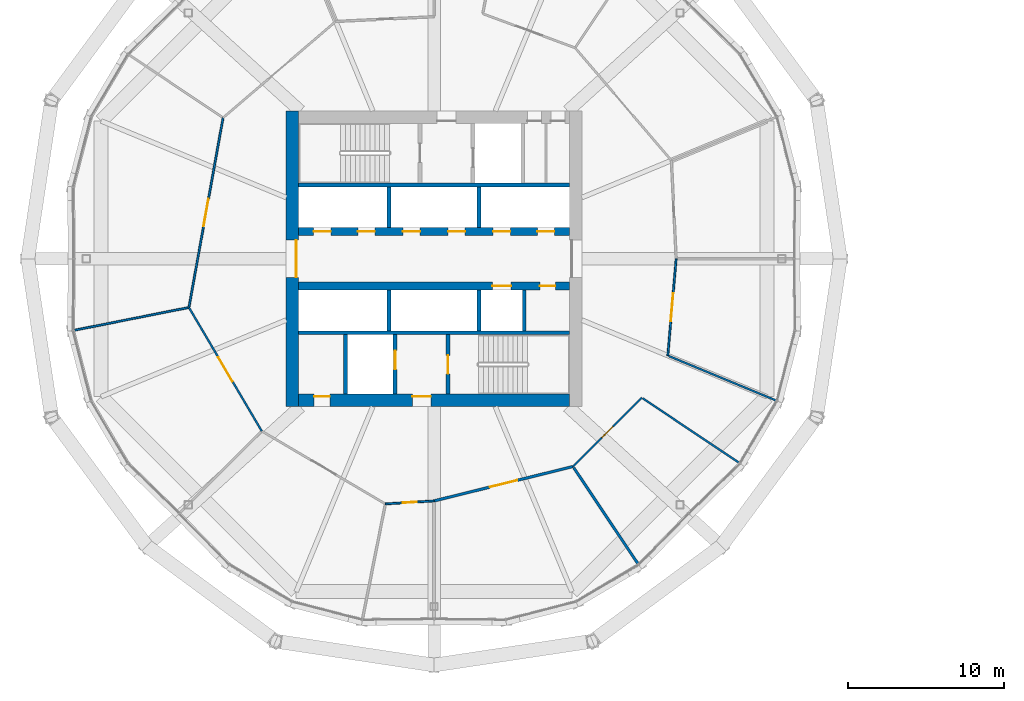
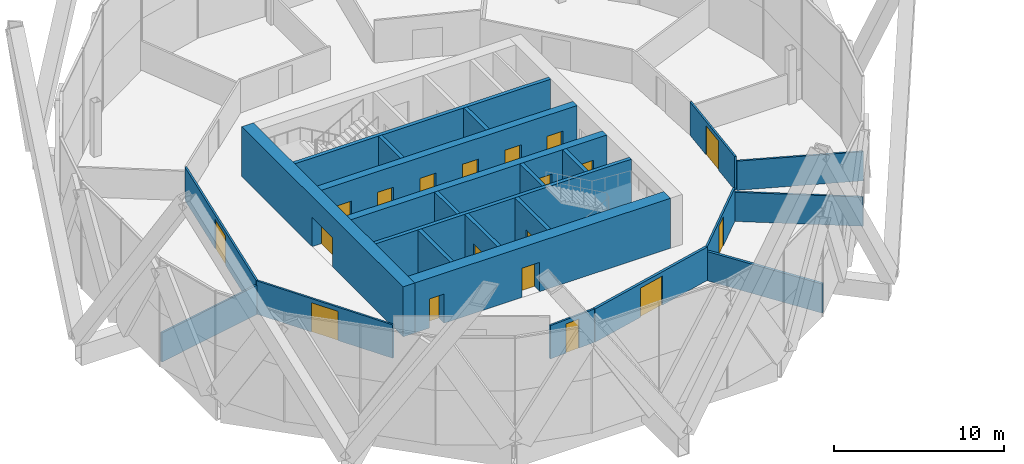
# One storey, part 22 of 28: 24 walls, 19 doors, 19 openings.
"""IFC4 building model written with IfcOpenShell, lengths in metres."""

from ifc_helpers import new_model, si_unit, direction, frame, frame_2d, origin, place, context, subcontext, project, spatial, rectangle, extrude, material, layer, layer_set, type_object, element, fill, save


model = new_model("IFC4")

# Units and contexts
model_context = context("Model", 3, precision=1e-05, world=origin(), true_north=direction((0.0, 1.0)))
body_context = subcontext(model_context, "Body", "Model", "MODEL_VIEW")
ifc_project = project(units=[si_unit("LENGTHUNIT", "METRE"), si_unit("AREAUNIT", "SQUARE_METRE"), si_unit("VOLUMEUNIT", "CUBIC_METRE"), si_unit("PLANEANGLEUNIT", "RADIAN"), si_unit("MASSUNIT", "GRAM", prefix="KILO")], contexts=[model_context])

# Site, building, storey
site_placement = place(None, origin())
site = spatial("IfcSite", under=ifc_project, at=site_placement, CompositionType="ELEMENT")
building_placement = place(site_placement, origin())
building = spatial("IfcBuilding", under=site, at=building_placement, Name="Ogive Gate Towers", CompositionType="ELEMENT")
storey_placement = place(building_placement, frame((0.0, 0.0, 115.199951171875)))
storey = spatial("IfcBuildingStorey", under=building, at=storey_placement, Name="L27", CompositionType="ELEMENT", Elevation=115.199951171875)

# Wall
ifc_material_1 = material(Name="Gypsum board acoustic partition")
ifc_layer_1 = layer(ifc_material_1, 0.175048828125)
ifc_layer_set_1 = layer_set([ifc_layer_1], Name="Acoustic partition 175")
wall_type_1 = type_object("IfcWallType", Name="Acoustic partition 175", PredefinedType="PARTITIONING", material=ifc_layer_set_1)
wall_1_placement = place(storey_placement, frame((-22.8330078125, -19.69189453125, 0.0), z_axis=(0.0, 0.0, 1.0), x_axis=(-0.555827924482, 0.8312973706, 0.0)))
element("IfcWall", 1, at=wall_1_placement, inside=storey, type_object=wall_type_1, Name="Partition T1-L27-012", PredefinedType="PARTITIONING", context=body_context, shape_type="SweptSolid", body=[
    extrude(rectangle(XDim=7.540283203125, YDim=0.175048828125, at=frame_2d((3.77001953125, 0.0))), origin(), (0.0, 0.0, 1.0), 2.10009765625),
])

# Wall, opening, door
wall_2_placement = place(storey_placement, frame((-36.0, -15.56005859375, 0.0), z_axis=(0.0, 0.0, 1.0), x_axis=(0.970722193332, 0.240204961172, 0.0)))
wall_2 = element("IfcWall", 2, at=wall_2_placement, inside=storey, type_object=wall_type_1, Name="Partition T1-L27-021", PredefinedType="PARTITIONING", context=body_context, shape_type="SweptSolid", body=[
    extrude(rectangle(XDim=9.1962890625, YDim=0.175048828125, at=frame_2d((4.59814453125, 0.0))), origin(), (0.0, 0.0, 1.0), 2.400146484375),
])
opening_1_placement = place(wall_2_placement, frame((3.697998046875, 0.0, 0.0)))
opening_1 = element("IfcOpeningElement", 3, at=opening_1_placement, cuts=wall_2, Name="Opening T1-L27-D07", PredefinedType="OPENING", context=body_context, shape_type="SweptSolid", body=[
    extrude(rectangle(XDim=1.800048828125, YDim=2.10009765625, at=frame_2d((0.89990234375, 1.050048828125))), frame((0.0, 0.09765625, 0.0), z_axis=(0.0, -1.0, 0.0), x_axis=(1.0, 0.0, 0.0)), (0.0, 0.0, 1.0), 0.195068359375),
])
ifc_material_2 = material(Name="Timber door", Category="wood")
door_type_1 = type_object("IfcDoorType", Name="Door pair 1800", OperationType="NOTDEFINED", PredefinedType="DOOR", material=ifc_material_2)
door_1_placement = place(opening_1_placement, origin())
door_1 = element("IfcDoor", 4, at=door_1_placement, inside=storey, type_object=door_type_1, Name="Door T1-L27-D07", OperationType="DOUBLE_DOOR_DOUBLE_SWING", OverallHeight=2.10009765625, OverallWidth=1.800048828125, PredefinedType="DOOR", context=body_context, shape_type="SweptSolid", body=[
    extrude(rectangle(XDim=1.800048828125, YDim=2.10009765625, at=frame_2d((0.89990234375, 1.050048828125))), frame((0.0, 0.02490234375, 0.0), z_axis=(0.0, -1.0, 0.0), x_axis=(1.0, 0.0, 0.0)), (0.0, 0.0, 1.0), 0.050048828125),
])
fill(opening_1, door_1)

# Wall, openings, doors
ifc_material_3 = material(Name="Concrete C60/75", Category="concrete")
ifc_layer_2 = layer(ifc_material_3, 0.800048828125)
ifc_layer_set_2 = layer_set([ifc_layer_2], Name="Core wall 800 mm")
wall_type_2 = type_object("IfcWallType", Name="Core wall 800 mm", PredefinedType="SHEAR", material=ifc_layer_set_2)
wall_3_placement = place(storey_placement, frame((-44.699951171875, -9.10009765625, 0.0), z_axis=(0.0, 0.0, 1.0), x_axis=(1.0, 0.0, 0.0)))
wall_3 = element("IfcWall", 5, at=wall_3_placement, inside=storey, type_object=wall_type_2, Name="T1 L27 Core wall 800 mm", PredefinedType="SHEAR", context=body_context, shape_type="SweptSolid", body=[
    extrude(rectangle(XDim=17.39990234375, YDim=0.800048828125, at=frame_2d((8.699951171875, 0.0))), origin(), (0.0, 0.0, 1.0), 3.60009765625),
])
opening_2_placement = place(wall_3_placement, frame((7.300048828125, 0.0, 0.0)))
opening_2 = element("IfcOpeningElement", 6, at=opening_2_placement, cuts=wall_3, Name="Opening KD-T1-L27-16", PredefinedType="OPENING", context=body_context, shape_type="SweptSolid", body=[
    extrude(rectangle(XDim=1.199951171875, YDim=2.10009765625, at=frame_2d((0.60009765625, 1.050048828125))), frame((0.0, 0.41015625, 0.0), z_axis=(0.0, -1.0, 0.0), x_axis=(1.0, 0.0, 0.0)), (0.0, 0.0, 1.0), 0.820068359375),
])
opening_3_placement = place(wall_3_placement, frame((1.0, 0.0, 0.0)))
opening_3 = element("IfcOpeningElement", 7, at=opening_3_placement, cuts=wall_3, Name="Opening KD-T1-L27-19", PredefinedType="OPENING", context=body_context, shape_type="SweptSolid", body=[
    extrude(rectangle(XDim=1.0, YDim=2.10009765625, at=frame_2d((0.5, 1.050048828125))), frame((0.0, 0.41015625, 0.0), z_axis=(0.0, -1.0, 0.0), x_axis=(1.0, 0.0, 0.0)), (0.0, 0.0, 1.0), 0.820068359375),
])
door_type_2 = type_object("IfcDoorType", Name="Accessible WC door 1000 x 2100", OperationType="NOTDEFINED", PredefinedType="DOOR", material=ifc_material_2)
door_2_placement = place(opening_3_placement, origin())
door_2 = element("IfcDoor", 8, at=door_2_placement, inside=storey, type_object=door_type_2, Name="T1 L27 Core door", OperationType="SINGLE_SWING_RIGHT", OverallHeight=2.10009765625, OverallWidth=1.0, PredefinedType="DOOR", context=body_context, shape_type="SweptSolid", body=[
    extrude(rectangle(XDim=1.0, YDim=2.10009765625, at=frame_2d((0.5, 1.050048828125))), frame((0.0, 0.27490234375, 0.0), z_axis=(0.0, -1.0, 0.0), x_axis=(1.0, 0.0, 0.0)), (0.0, 0.0, 1.0), 0.050048828125),
])
fill(opening_3, door_2)
ifc_material_4 = material(Name="Steel fire door", Category="steel")
door_type_3 = type_object("IfcDoorType", Name="Core door FD60S 1200 x 2100", OperationType="NOTDEFINED", PredefinedType="DOOR", material=ifc_material_4)
door_3_placement = place(opening_2_placement, origin())
door_3 = element("IfcDoor", 9, at=door_3_placement, inside=storey, type_object=door_type_3, Name="T1 L27 Fire-fighting lobby door", OperationType="SINGLE_SWING_LEFT", OverallHeight=2.10009765625, OverallWidth=1.199951171875, PredefinedType="DOOR", context=body_context, shape_type="SweptSolid", body=[
    extrude(rectangle(XDim=1.199951171875, YDim=2.10009765625, at=frame_2d((0.60009765625, 1.050048828125))), frame((0.0, 0.27490234375, 0.0), z_axis=(0.0, -1.0, 0.0), x_axis=(1.0, 0.0, 0.0)), (0.0, 0.0, 1.0), 0.050048828125),
])
fill(opening_2, door_3)

# Wall, opening, door
wall_4_placement = place(storey_placement, frame((-45.10009765625, -9.5, 0.0), z_axis=(0.0, 0.0, 1.0), x_axis=(0.0, 1.0, 0.0)))
wall_4 = element("IfcWall", 10, at=wall_4_placement, inside=storey, type_object=wall_type_2, Name="T1 L27 Core wall 800 mm", PredefinedType="SHEAR", context=body_context, shape_type="SweptSolid", body=[
    extrude(rectangle(XDim=19.0, YDim=0.800048828125, at=frame_2d((9.5, 0.0))), origin(), (0.0, 0.0, 1.0), 3.60009765625),
])
opening_4_placement = place(wall_4_placement, frame((8.300048828125, 0.0, 0.0)))
opening_4 = element("IfcOpeningElement", 11, at=opening_4_placement, cuts=wall_4, Name="Opening KD-T1-L27-01", PredefinedType="OPENING", context=body_context, shape_type="SweptSolid", body=[
    extrude(rectangle(XDim=2.39990234375, YDim=2.10009765625, at=frame_2d((1.199951171875, 1.050048828125))), frame((0.0, 0.41015625, 0.0), z_axis=(0.0, -1.0, 0.0), x_axis=(1.0, 0.0, 0.0)), (0.0, 0.0, 1.0), 0.820068359375),
])
door_type_4 = type_object("IfcDoorType", Name="Core double door FD60S 2400 x 2100", OperationType="DOUBLE_DOOR_SINGLE_SWING", PredefinedType="DOOR", material=ifc_material_4)
door_4_placement = place(opening_4_placement, origin())
door_4 = element("IfcDoor", 12, at=door_4_placement, inside=storey, type_object=door_type_4, Name="T1 L27 Core door double", OperationType="DOUBLE_DOOR_SINGLE_SWING", OverallHeight=2.10009765625, OverallWidth=2.39990234375, PredefinedType="DOOR", context=body_context, shape_type="SweptSolid", body=[
    extrude(rectangle(XDim=2.39990234375, YDim=2.10009765625, at=frame_2d((1.199951171875, 1.050048828125))), frame((0.0, -0.22509765625, 0.0), z_axis=(0.0, -1.0, 0.0), x_axis=(1.0, 0.0, 0.0)), (0.0, 0.0, 1.0), 0.050048828125),
])
fill(opening_4, door_4)

# Walls
ifc_material_5 = material(Name="Gypsum board partition")
ifc_layer_3 = layer(ifc_material_5, 0.125)
ifc_layer_set_3 = layer_set([ifc_layer_3], Name="Partition 125")
wall_type_3 = type_object("IfcWallType", Name="Partition 125", PredefinedType="PARTITIONING", material=ifc_layer_set_3)
wall_5_placement = place(storey_placement, frame((-59.1083984375, -4.5888671875, 0.0), z_axis=(0.0, 0.0, 1.0), x_axis=(0.980847449072, 0.194777518337, 0.0)))
element("IfcWall", 13, at=wall_5_placement, inside=storey, type_object=wall_type_3, Name="Partition T1-L27-008", PredefinedType="PARTITIONING", context=body_context, shape_type="SweptSolid", body=[
    extrude(rectangle(XDim=7.4365234375, YDim=0.125, at=frame_2d((3.71826171875, 0.0))), origin(), (0.0, 0.0, 1.0), 2.10009765625),
])
wall_6_placement = place(storey_placement, frame((-16.30810546875, -13.1669921875, 0.0), z_axis=(0.0, 0.0, 1.0), x_axis=(-0.831284914529, 0.555846553354, 0.0)))
element("IfcWall", 14, at=wall_6_placement, inside=storey, type_object=wall_type_3, Name="Partition T1-L27-013", PredefinedType="PARTITIONING", context=body_context, shape_type="SweptSolid", body=[
    extrude(rectangle(XDim=7.565185546875, YDim=0.125, at=frame_2d((3.78271484375, 0.0))), origin(), (0.0, 0.0, 1.0), 2.10009765625),
])
wall_7_placement = place(storey_placement, frame((-13.97216796875, -9.124267578125, 0.0), z_axis=(0.0, 0.0, 1.0), x_axis=(-0.923868428075, 0.382710239746, 0.0)))
element("IfcWall", 15, at=wall_7_placement, inside=storey, type_object=wall_type_3, Name="Partition T1-L27-014", PredefinedType="PARTITIONING", context=body_context, shape_type="SweptSolid", body=[
    extrude(rectangle(XDim=7.519287109375, YDim=0.125, at=frame_2d((3.759765625, 0.0))), origin(), (0.0, 0.0, 1.0), 2.10009765625),
])

# Wall, opening, door
wall_8_placement = place(storey_placement, frame((-49.558837890625, 9.066162109375, 0.0), z_axis=(0.0, 0.0, 1.0), x_axis=(-0.177083524754, -0.984195826683, 0.0)))
wall_8 = element("IfcWall", 16, at=wall_8_placement, inside=storey, type_object=wall_type_3, Name="Partition T1-L27-017", PredefinedType="PARTITIONING", context=body_context, shape_type="SweptSolid", body=[
    extrude(rectangle(XDim=12.39013671875, YDim=0.125, at=frame_2d((6.195068359375, 0.0))), origin(), (0.0, 0.0, 1.0), 2.400146484375),
])
opening_5_placement = place(wall_8_placement, frame((5.294921875, 0.0, 0.0)))
opening_5 = element("IfcOpeningElement", 17, at=opening_5_placement, cuts=wall_8, Name="Opening T1-L27-D03", PredefinedType="OPENING", context=body_context, shape_type="SweptSolid", body=[
    extrude(rectangle(XDim=1.800048828125, YDim=2.10009765625, at=frame_2d((0.89990234375, 1.050048828125))), frame((0.0, 0.072509765625, 0.0), z_axis=(0.0, -1.0, 0.0), x_axis=(1.0, 0.0, 0.0)), (0.0, 0.0, 1.0), 0.14501953125),
])
door_5_placement = place(opening_5_placement, origin())
door_5 = element("IfcDoor", 18, at=door_5_placement, inside=storey, type_object=door_type_1, Name="Door T1-L27-D03", OperationType="DOUBLE_DOOR_DOUBLE_SWING", OverallHeight=2.10009765625, OverallWidth=1.800048828125, PredefinedType="DOOR", context=body_context, shape_type="SweptSolid", body=[
    extrude(rectangle(XDim=1.800048828125, YDim=2.10009765625, at=frame_2d((0.89990234375, 1.050048828125))), frame((0.0, 0.02490234375, 0.0), z_axis=(0.0, -1.0, 0.0), x_axis=(1.0, 0.0, 0.0)), (0.0, 0.0, 1.0), 0.050048828125),
])
fill(opening_5, door_5)

wall_9_placement = place(storey_placement, frame((-51.7529296875, -3.128173828125, 0.0), z_axis=(0.0, 0.0, 1.0), x_axis=(0.507512966856, -0.861644119386, 0.0)))
wall_9 = element("IfcWall", 19, at=wall_9_placement, inside=storey, type_object=wall_type_3, Name="Partition T1-L27-018", PredefinedType="PARTITIONING", context=body_context, shape_type="SweptSolid", body=[
    extrude(rectangle(XDim=9.220703125, YDim=0.125, at=frame_2d((4.6103515625, 0.0))), origin(), (0.0, 0.0, 1.0), 2.400146484375),
])
opening_6_placement = place(wall_9_placement, frame((3.7099609375, 0.0, 0.0)))
opening_6 = element("IfcOpeningElement", 20, at=opening_6_placement, cuts=wall_9, Name="Opening T1-L27-D04", PredefinedType="OPENING", context=body_context, shape_type="SweptSolid", body=[
    extrude(rectangle(XDim=1.800048828125, YDim=2.10009765625, at=frame_2d((0.89990234375, 1.050048828125))), frame((0.0, 0.072509765625, 0.0), z_axis=(0.0, -1.0, 0.0), x_axis=(1.0, 0.0, 0.0)), (0.0, 0.0, 1.0), 0.14501953125),
])
door_6_placement = place(opening_6_placement, origin())
door_6 = element("IfcDoor", 21, at=door_6_placement, inside=storey, type_object=door_type_1, Name="Door T1-L27-D04", OperationType="DOUBLE_DOOR_DOUBLE_SWING", OverallHeight=2.10009765625, OverallWidth=1.800048828125, PredefinedType="DOOR", context=body_context, shape_type="SweptSolid", body=[
    extrude(rectangle(XDim=1.800048828125, YDim=2.10009765625, at=frame_2d((0.89990234375, 1.050048828125))), frame((0.0, 0.02490234375, 0.0), z_axis=(0.0, -1.0, 0.0), x_axis=(1.0, 0.0, 0.0)), (0.0, 0.0, 1.0), 0.050048828125),
])
fill(opening_6, door_6)

wall_10_placement = place(storey_placement, frame((-39.128173828125, -15.7529296875, 0.0), z_axis=(0.0, 0.0, 1.0), x_axis=(0.99810466289, 0.06153927134, 0.0)))
wall_10 = element("IfcWall", 22, at=wall_10_placement, inside=storey, type_object=wall_type_3, Name="Partition T1-L27-020", PredefinedType="PARTITIONING", context=body_context, shape_type="SweptSolid", body=[
    extrude(rectangle(XDim=3.134033203125, YDim=0.125, at=frame_2d((1.56689453125, 0.0))), origin(), (0.0, 0.0, 1.0), 2.400146484375),
])
opening_7_placement = place(wall_10_placement, frame((1.116943359375, 0.0, 0.0)))
opening_7 = element("IfcOpeningElement", 23, at=opening_7_placement, cuts=wall_10, Name="Opening T1-L27-D06", PredefinedType="OPENING", context=body_context, shape_type="SweptSolid", body=[
    extrude(rectangle(XDim=0.89990234375, YDim=2.10009765625, at=frame_2d((0.449951171875, 1.050048828125))), frame((0.0, 0.072509765625, 0.0), z_axis=(0.0, -1.0, 0.0), x_axis=(1.0, 0.0, 0.0)), (0.0, 0.0, 1.0), 0.14501953125),
])
door_type_5 = type_object("IfcDoorType", Name="Door 900", OperationType="NOTDEFINED", PredefinedType="DOOR", material=ifc_material_2)
door_7_placement = place(opening_7_placement, origin())
door_7 = element("IfcDoor", 24, at=door_7_placement, inside=storey, type_object=door_type_5, Name="Door T1-L27-D06", OperationType="SINGLE_SWING_RIGHT", OverallHeight=2.10009765625, OverallWidth=0.89990234375, PredefinedType="DOOR", context=body_context, shape_type="SweptSolid", body=[
    extrude(rectangle(XDim=0.89990234375, YDim=2.10009765625, at=frame_2d((0.449951171875, 1.050048828125))), frame((0.0, 0.02490234375, 0.0), z_axis=(0.0, -1.0, 0.0), x_axis=(1.0, 0.0, 0.0)), (0.0, 0.0, 1.0), 0.050048828125),
])
fill(opening_7, door_7)

wall_11_placement = place(storey_placement, frame((-27.072998046875, -13.35107421875, 0.0), z_axis=(0.0, 0.0, 1.0), x_axis=(0.707106781187, 0.707106781187, 0.0)))
wall_11 = element("IfcWall", 25, at=wall_11_placement, inside=storey, type_object=wall_type_3, Name="Partition T1-L27-022", PredefinedType="PARTITIONING", context=body_context, shape_type="SweptSolid", body=[
    extrude(rectangle(XDim=6.256591796875, YDim=0.125, at=frame_2d((3.12841796875, 0.0))), origin(), (0.0, 0.0, 1.0), 2.400146484375),
])
opening_8_placement = place(wall_11_placement, frame((2.6279296875, 0.0, 0.0)))
opening_8 = element("IfcOpeningElement", 26, at=opening_8_placement, cuts=wall_11, Name="Opening T1-L27-D08", PredefinedType="OPENING", context=body_context, shape_type="SweptSolid", body=[
    extrude(rectangle(XDim=1.0, YDim=2.10009765625, at=frame_2d((0.5, 1.050048828125))), frame((0.0, 0.072509765625, 0.0), z_axis=(0.0, -1.0, 0.0), x_axis=(1.0, 0.0, 0.0)), (0.0, 0.0, 1.0), 0.14501953125),
])
door_type_6 = type_object("IfcDoorType", Name="Door 1000", OperationType="NOTDEFINED", PredefinedType="DOOR", material=ifc_material_2)
door_8_placement = place(opening_8_placement, origin())
door_8 = element("IfcDoor", 27, at=door_8_placement, inside=storey, type_object=door_type_6, Name="Door T1-L27-D08", OperationType="SINGLE_SWING_LEFT", OverallHeight=2.10009765625, OverallWidth=1.0, PredefinedType="DOOR", context=body_context, shape_type="SweptSolid", body=[
    extrude(rectangle(XDim=1.0, YDim=2.10009765625, at=frame_2d((0.5, 1.050048828125))), frame((0.0, 0.02490234375, 0.0), z_axis=(0.0, -1.0, 0.0), x_axis=(1.0, 0.0, 0.0)), (0.0, 0.0, 1.0), 0.050048828125),
])
fill(opening_8, door_8)

wall_12_placement = place(storey_placement, frame((-20.976806640625, -6.222900390625, 0.0), z_axis=(0.0, 0.0, 1.0), x_axis=(0.085953230082, 0.996299173059, 0.0)))
wall_12 = element("IfcWall", 28, at=wall_12_placement, inside=storey, type_object=wall_type_3, Name="Partition T1-L27-023", PredefinedType="PARTITIONING", context=body_context, shape_type="SweptSolid", body=[
    extrude(rectangle(XDim=6.24609375, YDim=0.125, at=frame_2d((3.123046875, 0.0))), origin(), (0.0, 0.0, 1.0), 2.400146484375),
])
opening_9_placement = place(wall_12_placement, frame((2.222900390625, 0.0, 0.0)))
opening_9 = element("IfcOpeningElement", 29, at=opening_9_placement, cuts=wall_12, Name="Opening T1-L27-D09", PredefinedType="OPENING", context=body_context, shape_type="SweptSolid", body=[
    extrude(rectangle(XDim=1.800048828125, YDim=2.10009765625, at=frame_2d((0.89990234375, 1.050048828125))), frame((0.0, 0.072509765625, 0.0), z_axis=(0.0, -1.0, 0.0), x_axis=(1.0, 0.0, 0.0)), (0.0, 0.0, 1.0), 0.14501953125),
])
door_9_placement = place(opening_9_placement, origin())
door_9 = element("IfcDoor", 30, at=door_9_placement, inside=storey, type_object=door_type_1, Name="Door T1-L27-D09", OperationType="DOUBLE_DOOR_DOUBLE_SWING", OverallHeight=2.10009765625, OverallWidth=1.800048828125, PredefinedType="DOOR", context=body_context, shape_type="SweptSolid", body=[
    extrude(rectangle(XDim=1.800048828125, YDim=2.10009765625, at=frame_2d((0.89990234375, 1.050048828125))), frame((0.0, 0.02490234375, 0.0), z_axis=(0.0, -1.0, 0.0), x_axis=(1.0, 0.0, 0.0)), (0.0, 0.0, 1.0), 0.050048828125),
])
fill(opening_9, door_9)

# Walls
ifc_layer_4 = layer(ifc_material_3, 0.25)
ifc_layer_set_4 = layer_set([ifc_layer_4], Name="Shaft wall 250 mm")
wall_type_4 = type_object("IfcWallType", Name="Shaft wall 250 mm", PredefinedType="SHEAR", material=ifc_layer_set_4)
for number, where, z_axis, x_axis, name in (
    (31, (-44.699951171875, -4.75, 0.0), (0.0, 0.0, 1.0), (1.0, 0.0, 0.0), "T1 L27 Shaft wall 250 mm"),
    (32, (-44.699951171875, 4.75, 0.0), (0.0, 0.0, 1.0), (1.0, 0.0, 0.0), "T1 L27 Shaft wall 250 mm"),
):
    element("IfcWall", number, at=place(storey_placement, frame(where, z_axis=z_axis, x_axis=x_axis)), inside=storey, type_object=wall_type_4, Name=name, PredefinedType="SHEAR", context=body_context, shape_type="SweptSolid", body=[
        extrude(rectangle(XDim=17.39990234375, YDim=0.25, at=frame_2d((8.699951171875, 0.0))), origin(), (0.0, 0.0, 1.0), 3.60009765625),
    ])
wall_13_placement = place(storey_placement, frame((-41.699951171875, -8.699951171875, 0.0), z_axis=(0.0, 0.0, 1.0), x_axis=(0.0, 1.0, 0.0)))
element("IfcWall", 33, at=wall_13_placement, inside=storey, type_object=wall_type_4, Name="T1 L27 Shaft wall 250 mm", PredefinedType="SHEAR", context=body_context, shape_type="SweptSolid", body=[
    extrude(rectangle(XDim=3.824951171875, YDim=0.25, at=frame_2d((1.91259765625, 0.0))), origin(), (0.0, 0.0, 1.0), 3.60009765625),
])
for number, where, z_axis, x_axis, name in (
    (34, (-38.89990234375, -4.625, 0.0), (0.0, 0.0, 1.0), (0.0, 1.0, 0.0), "T1 L27 Shaft wall 250 mm"),
    (35, (-38.89990234375, 2.0, 0.0), (0.0, 0.0, 1.0), (0.0, 1.0, 0.0), "T1 L27 Shaft wall 250 mm"),
):
    element("IfcWall", number, at=place(storey_placement, frame(where, z_axis=z_axis, x_axis=x_axis)), inside=storey, type_object=wall_type_4, Name=name, PredefinedType="SHEAR", context=body_context, shape_type="SweptSolid", body=[
        extrude(rectangle(XDim=2.625, YDim=0.25, at=frame_2d((1.3125, 0.0))), origin(), (0.0, 0.0, 1.0), 3.60009765625),
    ])

# Wall, opening, door
wall_14_placement = place(storey_placement, frame((-38.5, -8.699951171875, 0.0), z_axis=(0.0, 0.0, 1.0), x_axis=(0.0, 1.0, 0.0)))
wall_14 = element("IfcWall", 36, at=wall_14_placement, inside=storey, type_object=wall_type_4, Name="T1 L27 Shaft wall 250 mm", PredefinedType="SHEAR", context=body_context, shape_type="SweptSolid", body=[
    extrude(rectangle(XDim=3.824951171875, YDim=0.25, at=frame_2d((1.91259765625, 0.0))), origin(), (0.0, 0.0, 1.0), 3.60009765625),
])
opening_10_placement = place(wall_14_placement, frame((1.60009765625, 0.0, 0.0)))
opening_10 = element("IfcOpeningElement", 37, at=opening_10_placement, cuts=wall_14, Name="Opening LD-T1-L27-11", PredefinedType="OPENING", context=body_context, shape_type="SweptSolid", body=[
    extrude(rectangle(XDim=1.199951171875, YDim=2.10009765625, at=frame_2d((0.60009765625, 1.050048828125))), frame((0.0, 0.135009765625, 0.0), z_axis=(0.0, -1.0, 0.0), x_axis=(1.0, 0.0, 0.0)), (0.0, 0.0, 1.0), 0.27001953125),
])
ifc_material_6 = material(Name="Stainless steel landing door", Category="steel")
door_type_7 = type_object("IfcDoorType", Name="Landing door 1200 x 2100", OperationType="SLIDING_TO_LEFT", PredefinedType="DOOR", material=ifc_material_6)
door_10_placement = place(opening_10_placement, origin())
door_10 = element("IfcDoor", 38, at=door_10_placement, inside=storey, type_object=door_type_7, Name="T1 L27 Lift landing door FF2", OperationType="SLIDING_TO_LEFT", OverallHeight=2.10009765625, OverallWidth=1.199951171875, PredefinedType="DOOR", context=body_context, shape_type="SweptSolid", body=[
    extrude(rectangle(XDim=1.199951171875, YDim=2.10009765625, at=frame_2d((0.60009765625, 1.050048828125))), frame((0.0, 0.02490234375, 0.0), z_axis=(0.0, -1.0, 0.0), x_axis=(1.0, 0.0, 0.0)), (0.0, 0.0, 1.0), 0.050048828125),
])
fill(opening_10, door_10)

wall_15_placement = place(storey_placement, frame((-35.10009765625, -8.699951171875, 0.0), z_axis=(0.0, 0.0, 1.0), x_axis=(0.0, 1.0, 0.0)))
wall_15 = element("IfcWall", 39, at=wall_15_placement, inside=storey, type_object=wall_type_4, Name="T1 L27 Shaft wall 250 mm", PredefinedType="SHEAR", context=body_context, shape_type="SweptSolid", body=[
    extrude(rectangle(XDim=3.824951171875, YDim=0.25, at=frame_2d((1.91259765625, 0.0))), origin(), (0.0, 0.0, 1.0), 3.60009765625),
])
opening_11_placement = place(wall_15_placement, frame((1.300048828125, 0.0, 0.0)))
opening_11 = element("IfcOpeningElement", 40, at=opening_11_placement, cuts=wall_15, Name="Opening KD-T1-L27-14", PredefinedType="OPENING", context=body_context, shape_type="SweptSolid", body=[
    extrude(rectangle(XDim=1.199951171875, YDim=2.10009765625, at=frame_2d((0.60009765625, 1.050048828125))), frame((0.0, 0.135009765625, 0.0), z_axis=(0.0, -1.0, 0.0), x_axis=(1.0, 0.0, 0.0)), (0.0, 0.0, 1.0), 0.27001953125),
])
door_11_placement = place(opening_11_placement, origin())
door_11 = element("IfcDoor", 41, at=door_11_placement, inside=storey, type_object=door_type_3, Name="T1 L27 Stair door", OperationType="SINGLE_SWING_LEFT", OverallHeight=2.10009765625, OverallWidth=1.199951171875, PredefinedType="DOOR", context=body_context, shape_type="SweptSolid", body=[
    extrude(rectangle(XDim=1.199951171875, YDim=2.10009765625, at=frame_2d((0.60009765625, 1.050048828125))), frame((0.0, 0.02490234375, 0.0), z_axis=(0.0, -1.0, 0.0), x_axis=(1.0, 0.0, 0.0)), (0.0, 0.0, 1.0), 0.050048828125),
])
fill(opening_11, door_11)

# Walls
for number, where, z_axis, x_axis, name in (
    (42, (-33.10009765625, -4.625, 0.0), (0.0, 0.0, 1.0), (0.0, 1.0, 0.0), "T1 L27 Shaft wall 250 mm"),
    (43, (-33.10009765625, 2.0, 0.0), (0.0, 0.0, 1.0), (0.0, 1.0, 0.0), "T1 L27 Shaft wall 250 mm"),
    (44, (-30.199951171875, -4.625, 0.0), (0.0, 0.0, 1.0), (0.0, 1.0, 0.0), "T1 L27 Shaft wall 250 mm"),
):
    element("IfcWall", number, at=place(storey_placement, frame(where, z_axis=z_axis, x_axis=x_axis)), inside=storey, type_object=wall_type_4, Name=name, PredefinedType="SHEAR", context=body_context, shape_type="SweptSolid", body=[
        extrude(rectangle(XDim=2.625, YDim=0.25, at=frame_2d((1.3125, 0.0))), origin(), (0.0, 0.0, 1.0), 3.60009765625),
    ])

# Wall, openings, doors
ifc_layer_5 = layer(ifc_material_3, 0.5)
ifc_layer_set_5 = layer_set([ifc_layer_5], Name="Spine wall 500 mm")
wall_type_5 = type_object("IfcWallType", Name="Spine wall 500 mm", PredefinedType="SHEAR", material=ifc_layer_set_5)
wall_16_placement = place(storey_placement, frame((-44.699951171875, -1.75, 0.0), z_axis=(0.0, 0.0, 1.0), x_axis=(1.0, 0.0, 0.0)))
wall_16 = element("IfcWall", 45, at=wall_16_placement, inside=storey, type_object=wall_type_5, Name="T1 L27 Spine wall 500 mm", PredefinedType="SHEAR", context=body_context, shape_type="SweptSolid", body=[
    extrude(rectangle(XDim=17.39990234375, YDim=0.5, at=frame_2d((8.699951171875, 0.0))), origin(), (0.0, 0.0, 1.0), 3.60009765625),
])
opening_12_placement = place(wall_16_placement, frame((12.449951171875, 0.0, 0.0)))
opening_12 = element("IfcOpeningElement", 46, at=opening_12_placement, cuts=wall_16, Name="Opening LD-T1-L27-09", PredefinedType="OPENING", context=body_context, shape_type="SweptSolid", body=[
    extrude(rectangle(XDim=1.199951171875, YDim=2.10009765625, at=frame_2d((0.60009765625, 1.050048828125))), frame((0.0, 0.260009765625, 0.0), z_axis=(0.0, -1.0, 0.0), x_axis=(1.0, 0.0, 0.0)), (0.0, 0.0, 1.0), 0.52001953125),
])
opening_13_placement = place(wall_16_placement, frame((15.5, 0.0, 0.0)))
opening_13 = element("IfcOpeningElement", 47, at=opening_13_placement, cuts=wall_16, Name="Opening KD-T1-L27-12", PredefinedType="OPENING", context=body_context, shape_type="SweptSolid", body=[
    extrude(rectangle(XDim=1.0, YDim=2.10009765625, at=frame_2d((0.5, 1.050048828125))), frame((0.0, 0.260009765625, 0.0), z_axis=(0.0, -1.0, 0.0), x_axis=(1.0, 0.0, 0.0)), (0.0, 0.0, 1.0), 0.52001953125),
])
door_type_8 = type_object("IfcDoorType", Name="Core door FD60S 1000 x 2100", OperationType="NOTDEFINED", PredefinedType="DOOR", material=ifc_material_4)
door_12_placement = place(opening_13_placement, origin())
door_12 = element("IfcDoor", 48, at=door_12_placement, inside=storey, type_object=door_type_8, Name="T1 L27 Core door", OperationType="SINGLE_SWING_LEFT", OverallHeight=2.10009765625, OverallWidth=1.0, PredefinedType="DOOR", context=body_context, shape_type="SweptSolid", body=[
    extrude(rectangle(XDim=1.0, YDim=2.10009765625, at=frame_2d((0.5, 1.050048828125))), frame((0.0, 0.02490234375, 0.0), z_axis=(0.0, -1.0, 0.0), x_axis=(1.0, 0.0, 0.0)), (0.0, 0.0, 1.0), 0.050048828125),
])
fill(opening_13, door_12)
door_13_placement = place(opening_12_placement, origin())
door_13 = element("IfcDoor", 49, at=door_13_placement, inside=storey, type_object=door_type_7, Name="T1 L27 Lift landing door SVC", OperationType="SLIDING_TO_LEFT", OverallHeight=2.10009765625, OverallWidth=1.199951171875, PredefinedType="DOOR", context=body_context, shape_type="SweptSolid", body=[
    extrude(rectangle(XDim=1.199951171875, YDim=2.10009765625, at=frame_2d((0.60009765625, 1.050048828125))), frame((0.0, 0.02490234375, 0.0), z_axis=(0.0, -1.0, 0.0), x_axis=(1.0, 0.0, 0.0)), (0.0, 0.0, 1.0), 0.050048828125),
])
fill(opening_12, door_13)

wall_17_placement = place(storey_placement, frame((-44.699951171875, 1.75, 0.0), z_axis=(0.0, 0.0, 1.0), x_axis=(1.0, 0.0, 0.0)))
wall_17 = element("IfcWall", 50, at=wall_17_placement, inside=storey, type_object=wall_type_5, Name="T1 L27 Spine wall 500 mm", PredefinedType="SHEAR", context=body_context, shape_type="SweptSolid", body=[
    extrude(rectangle(XDim=17.39990234375, YDim=0.5, at=frame_2d((8.699951171875, 0.0))), origin(), (0.0, 0.0, 1.0), 3.60009765625),
])
opening_14_placement = place(wall_17_placement, frame((0.96240234375, 0.0, 0.0)))
opening_14 = element("IfcOpeningElement", 51, at=opening_14_placement, cuts=wall_17, Name="Opening LD-T1-L27-03", PredefinedType="OPENING", context=body_context, shape_type="SweptSolid", body=[
    extrude(rectangle(XDim=1.10009765625, YDim=2.10009765625, at=frame_2d((0.550048828125, 1.050048828125))), frame((0.0, 0.260009765625, 0.0), z_axis=(0.0, -1.0, 0.0), x_axis=(1.0, 0.0, 0.0)), (0.0, 0.0, 1.0), 0.52001953125),
])
opening_15_placement = place(wall_17_placement, frame((3.800048828125, 0.0, 0.0)))
opening_15 = element("IfcOpeningElement", 52, at=opening_15_placement, cuts=wall_17, Name="Opening LD-T1-L27-04", PredefinedType="OPENING", context=body_context, shape_type="SweptSolid", body=[
    extrude(rectangle(XDim=1.10009765625, YDim=2.10009765625, at=frame_2d((0.550048828125, 1.050048828125))), frame((0.0, 0.260009765625, 0.0), z_axis=(0.0, -1.0, 0.0), x_axis=(1.0, 0.0, 0.0)), (0.0, 0.0, 1.0), 0.52001953125),
])
opening_16_placement = place(wall_17_placement, frame((6.699951171875, 0.0, 0.0)))
opening_16 = element("IfcOpeningElement", 53, at=opening_16_placement, cuts=wall_17, Name="Opening LD-T1-L27-05", PredefinedType="OPENING", context=body_context, shape_type="SweptSolid", body=[
    extrude(rectangle(XDim=1.10009765625, YDim=2.10009765625, at=frame_2d((0.550048828125, 1.050048828125))), frame((0.0, 0.260009765625, 0.0), z_axis=(0.0, -1.0, 0.0), x_axis=(1.0, 0.0, 0.0)), (0.0, 0.0, 1.0), 0.52001953125),
])
opening_17_placement = place(wall_17_placement, frame((9.60009765625, 0.0, 0.0)))
opening_17 = element("IfcOpeningElement", 54, at=opening_17_placement, cuts=wall_17, Name="Opening LD-T1-L27-06", PredefinedType="OPENING", context=body_context, shape_type="SweptSolid", body=[
    extrude(rectangle(XDim=1.10009765625, YDim=2.10009765625, at=frame_2d((0.550048828125, 1.050048828125))), frame((0.0, 0.260009765625, 0.0), z_axis=(0.0, -1.0, 0.0), x_axis=(1.0, 0.0, 0.0)), (0.0, 0.0, 1.0), 0.52001953125),
])
opening_18_placement = place(wall_17_placement, frame((12.5, 0.0, 0.0)))
opening_18 = element("IfcOpeningElement", 55, at=opening_18_placement, cuts=wall_17, Name="Opening LD-T1-L27-07", PredefinedType="OPENING", context=body_context, shape_type="SweptSolid", body=[
    extrude(rectangle(XDim=1.10009765625, YDim=2.10009765625, at=frame_2d((0.550048828125, 1.050048828125))), frame((0.0, 0.260009765625, 0.0), z_axis=(0.0, -1.0, 0.0), x_axis=(1.0, 0.0, 0.0)), (0.0, 0.0, 1.0), 0.52001953125),
])
opening_19_placement = place(wall_17_placement, frame((15.33740234375, 0.0, 0.0)))
opening_19 = element("IfcOpeningElement", 56, at=opening_19_placement, cuts=wall_17, Name="Opening LD-T1-L27-08", PredefinedType="OPENING", context=body_context, shape_type="SweptSolid", body=[
    extrude(rectangle(XDim=1.10009765625, YDim=2.10009765625, at=frame_2d((0.550048828125, 1.050048828125))), frame((0.0, 0.260009765625, 0.0), z_axis=(0.0, -1.0, 0.0), x_axis=(1.0, 0.0, 0.0)), (0.0, 0.0, 1.0), 0.52001953125),
])
door_type_9 = type_object("IfcDoorType", Name="Landing door 1100 x 2100", OperationType="SLIDING_TO_LEFT", PredefinedType="DOOR", material=ifc_material_6)
door_14_placement = place(opening_14_placement, origin())
door_14 = element("IfcDoor", 57, at=door_14_placement, inside=storey, type_object=door_type_9, Name="T1 L27 Lift landing door A1", OperationType="SLIDING_TO_LEFT", OverallHeight=2.10009765625, OverallWidth=1.10009765625, PredefinedType="DOOR", context=body_context, shape_type="SweptSolid", body=[
    extrude(rectangle(XDim=1.10009765625, YDim=2.10009765625, at=frame_2d((0.550048828125, 1.050048828125))), frame((0.0, 0.02490234375, 0.0), z_axis=(0.0, -1.0, 0.0), x_axis=(1.0, 0.0, 0.0)), (0.0, 0.0, 1.0), 0.050048828125),
])
fill(opening_14, door_14)
door_15_placement = place(opening_15_placement, origin())
door_15 = element("IfcDoor", 58, at=door_15_placement, inside=storey, type_object=door_type_9, Name="T1 L27 Lift landing door A2", OperationType="SLIDING_TO_LEFT", OverallHeight=2.10009765625, OverallWidth=1.10009765625, PredefinedType="DOOR", context=body_context, shape_type="SweptSolid", body=[
    extrude(rectangle(XDim=1.10009765625, YDim=2.10009765625, at=frame_2d((0.550048828125, 1.050048828125))), frame((0.0, 0.02490234375, 0.0), z_axis=(0.0, -1.0, 0.0), x_axis=(1.0, 0.0, 0.0)), (0.0, 0.0, 1.0), 0.050048828125),
])
fill(opening_15, door_15)
door_16_placement = place(opening_16_placement, origin())
door_16 = element("IfcDoor", 59, at=door_16_placement, inside=storey, type_object=door_type_9, Name="T1 L27 Lift landing door A3", OperationType="SLIDING_TO_LEFT", OverallHeight=2.10009765625, OverallWidth=1.10009765625, PredefinedType="DOOR", context=body_context, shape_type="SweptSolid", body=[
    extrude(rectangle(XDim=1.10009765625, YDim=2.10009765625, at=frame_2d((0.550048828125, 1.050048828125))), frame((0.0, 0.02490234375, 0.0), z_axis=(0.0, -1.0, 0.0), x_axis=(1.0, 0.0, 0.0)), (0.0, 0.0, 1.0), 0.050048828125),
])
fill(opening_16, door_16)
door_17_placement = place(opening_17_placement, origin())
door_17 = element("IfcDoor", 60, at=door_17_placement, inside=storey, type_object=door_type_9, Name="T1 L27 Lift landing door A4", OperationType="SLIDING_TO_LEFT", OverallHeight=2.10009765625, OverallWidth=1.10009765625, PredefinedType="DOOR", context=body_context, shape_type="SweptSolid", body=[
    extrude(rectangle(XDim=1.10009765625, YDim=2.10009765625, at=frame_2d((0.550048828125, 1.050048828125))), frame((0.0, 0.02490234375, 0.0), z_axis=(0.0, -1.0, 0.0), x_axis=(1.0, 0.0, 0.0)), (0.0, 0.0, 1.0), 0.050048828125),
])
fill(opening_17, door_17)
door_18_placement = place(opening_18_placement, origin())
door_18 = element("IfcDoor", 61, at=door_18_placement, inside=storey, type_object=door_type_9, Name="T1 L27 Lift landing door A5", OperationType="SLIDING_TO_LEFT", OverallHeight=2.10009765625, OverallWidth=1.10009765625, PredefinedType="DOOR", context=body_context, shape_type="SweptSolid", body=[
    extrude(rectangle(XDim=1.10009765625, YDim=2.10009765625, at=frame_2d((0.550048828125, 1.050048828125))), frame((0.0, 0.02490234375, 0.0), z_axis=(0.0, -1.0, 0.0), x_axis=(1.0, 0.0, 0.0)), (0.0, 0.0, 1.0), 0.050048828125),
])
fill(opening_18, door_18)
door_19_placement = place(opening_19_placement, origin())
door_19 = element("IfcDoor", 62, at=door_19_placement, inside=storey, type_object=door_type_9, Name="T1 L27 Lift landing door A6", OperationType="SLIDING_TO_LEFT", OverallHeight=2.10009765625, OverallWidth=1.10009765625, PredefinedType="DOOR", context=body_context, shape_type="SweptSolid", body=[
    extrude(rectangle(XDim=1.10009765625, YDim=2.10009765625, at=frame_2d((0.550048828125, 1.050048828125))), frame((0.0, 0.02490234375, 0.0), z_axis=(0.0, -1.0, 0.0), x_axis=(1.0, 0.0, 0.0)), (0.0, 0.0, 1.0), 0.050048828125),
])
fill(opening_19, door_19)

save(model, "model.ifc")
